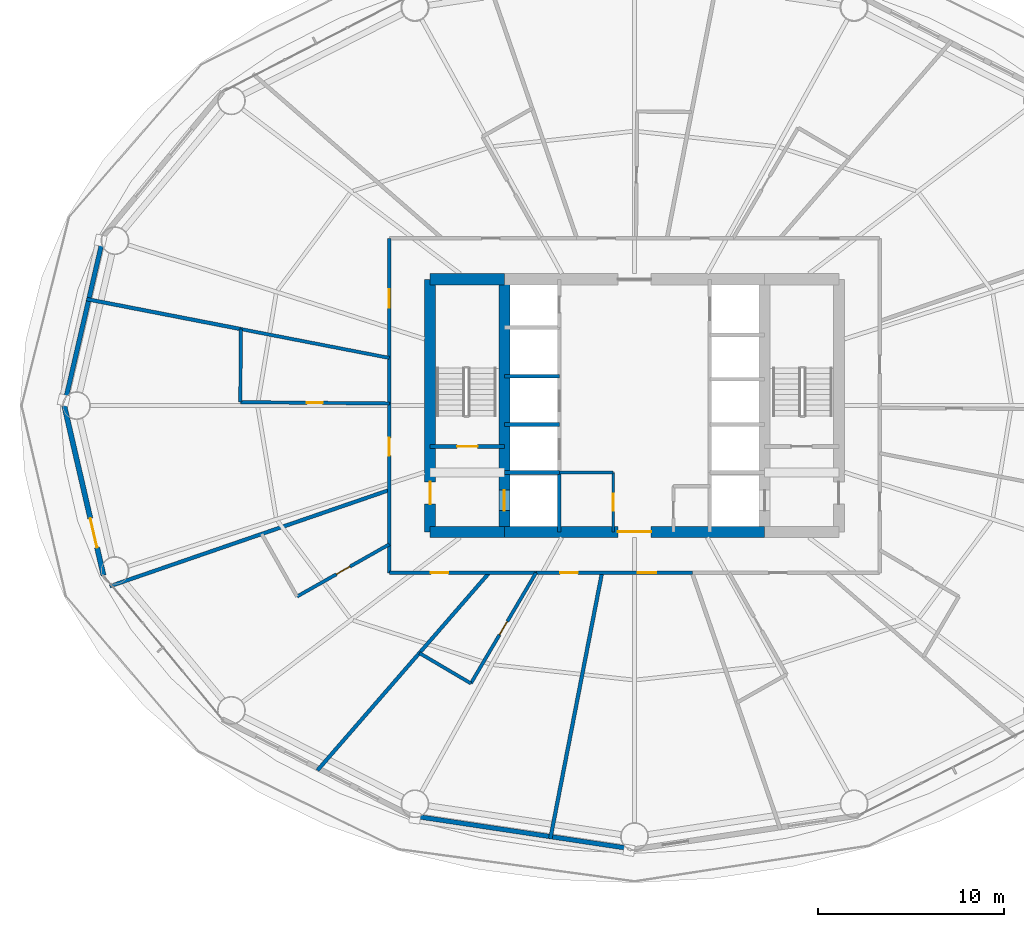
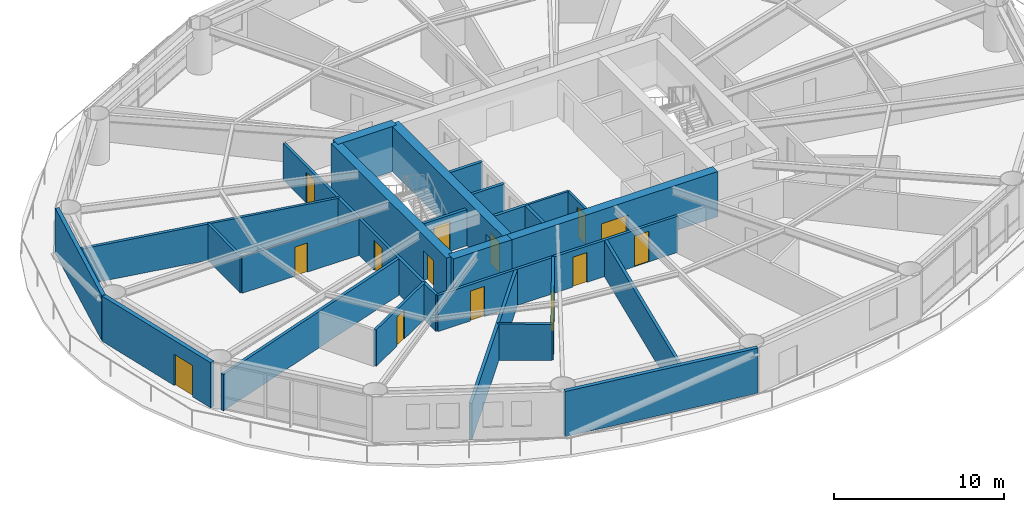
# One storey, part 21 of 27: 29 walls, 14 doors, 14 openings.
"""IFC4 building model written with IfcOpenShell, lengths in metres."""

from ifc_helpers import new_model, si_unit, direction, frame, frame_2d, origin, place, context, subcontext, project, spatial, rectangle, extrude, material, layer, layer_set, type_object, element, fill, save


model = new_model("IFC4")

# Units and contexts
model_context = context("Model", 3, precision=1e-05, world=origin(), true_north=direction((0.0, 1.0)))
body_context = subcontext(model_context, "Body", "Model", "MODEL_VIEW")
ifc_project = project(units=[si_unit("LENGTHUNIT", "METRE"), si_unit("AREAUNIT", "SQUARE_METRE"), si_unit("VOLUMEUNIT", "CUBIC_METRE"), si_unit("PLANEANGLEUNIT", "RADIAN"), si_unit("MASSUNIT", "GRAM", prefix="KILO")], contexts=[model_context])

# Site, building, storey
site_placement = place(None, origin())
site = spatial("IfcSite", under=ifc_project, at=site_placement, CompositionType="ELEMENT")
building_placement = place(site_placement, origin())
building = spatial("IfcBuilding", under=site, at=building_placement, Name="Sarneth Arch Tower", CompositionType="ELEMENT")
storey_placement = place(building_placement, frame((0.0, 0.0, 75.0)))
storey = spatial("IfcBuildingStorey", under=building, at=storey_placement, Name="L18", CompositionType="ELEMENT", Elevation=75.0)

# Wall
ifc_material_1 = material(Name="Concrete C60/75", Category="concrete")
ifc_layer_1 = layer(ifc_material_1, 0.60009765625)
ifc_layer_set_1 = layer_set([ifc_layer_1], Name="Concrete C60/75")
wall_type_1 = type_object("IfcWallType", Name="WALL-CORE-600", PredefinedType="SHEAR", material=ifc_layer_set_1)
wall_1_placement = place(storey_placement, frame((37.0, 35.199951171875, 0.0), z_axis=(0.0, 0.0, 1.0), x_axis=(1.0, 0.0, 0.0)))
element("IfcWall", 1, at=wall_1_placement, inside=storey, type_object=wall_type_1, Name="L18 Core shear wall S-W", PredefinedType="SHEAR", context=body_context, shape_type="SweptSolid", body=[
    extrude(rectangle(XDim=4.0, YDim=0.60009765625, at=frame_2d((2.0, 0.0))), origin(), (0.0, 0.0, 1.0), 3.25),
])

# Wall, opening, door
wall_2_placement = place(storey_placement, frame((41.0, 35.199951171875, 0.0), z_axis=(0.0, 0.0, 1.0), x_axis=(1.0, 0.0, 0.0)))
wall_2 = element("IfcWall", 2, at=wall_2_placement, inside=storey, type_object=wall_type_1, Name="L18 Core shear wall S-M", PredefinedType="SHEAR", context=body_context, shape_type="SweptSolid", body=[
    extrude(rectangle(XDim=14.0, YDim=0.60009765625, at=frame_2d((7.0, 0.0))), origin(), (0.0, 0.0, 1.0), 3.25),
])
opening_1_placement = place(wall_2_placement, frame((6.10009765625, 0.0, 0.0)))
opening_1 = element("IfcOpeningElement", 3, at=opening_1_placement, cuts=wall_2, Name="Opening FD-01", PredefinedType="OPENING", context=body_context, shape_type="SweptSolid", body=[
    extrude(rectangle(XDim=1.800048828125, YDim=2.25, at=frame_2d((0.89990234375, 1.125))), frame((0.0, 0.31005859375, 0.0), z_axis=(0.0, -1.0, 0.0), x_axis=(1.0, 0.0, 0.0)), (0.0, 0.0, 1.0), 0.6201171875),
])
ifc_material_2 = material(Name="Galvanised Steel S275 fire door set", Category="steel")
door_type_1 = type_object("IfcDoorType", Name="DR-FD90-1800", OperationType="DOUBLE_DOOR_SINGLE_SWING", PredefinedType="DOOR", material=ifc_material_2)
door_1_placement = place(opening_1_placement, origin())
door_1 = element("IfcDoor", 4, at=door_1_placement, inside=storey, type_object=door_type_1, Name="L18 Central lift lobby south door", OperationType="DOUBLE_DOOR_SINGLE_SWING", OverallHeight=2.25, OverallWidth=1.800048828125, PredefinedType="DOOR", context=body_context, shape_type="SweptSolid", body=[
    extrude(rectangle(XDim=1.800048828125, YDim=2.25, at=frame_2d((0.89990234375, 1.125))), frame((0.0, 0.02490234375, 0.0), z_axis=(0.0, -1.0, 0.0), x_axis=(1.0, 0.0, 0.0)), (0.0, 0.0, 1.0), 0.050048828125),
])
fill(opening_1, door_1)

# Wall
wall_3_placement = place(storey_placement, frame((37.0, 48.800048828125, 0.0), z_axis=(0.0, 0.0, 1.0), x_axis=(1.0, 0.0, 0.0)))
element("IfcWall", 5, at=wall_3_placement, inside=storey, type_object=wall_type_1, Name="L18 Core shear wall N-W", PredefinedType="SHEAR", context=body_context, shape_type="SweptSolid", body=[
    extrude(rectangle(XDim=4.0, YDim=0.60009765625, at=frame_2d((2.0, 0.0))), origin(), (0.0, 0.0, 1.0), 3.25),
])

# Wall, opening, door
wall_4_placement = place(storey_placement, frame((37.0, 35.199951171875, 0.0), z_axis=(0.0, 0.0, 1.0), x_axis=(0.0, 1.0, 0.0)))
wall_4 = element("IfcWall", 6, at=wall_4_placement, inside=storey, type_object=wall_type_1, Name="L18 Core shear wall W", PredefinedType="SHEAR", context=body_context, shape_type="SweptSolid", body=[
    extrude(rectangle(XDim=13.60009765625, YDim=0.60009765625, at=frame_2d((6.800048828125, 0.0))), origin(), (0.0, 0.0, 1.0), 3.25),
])
opening_2_placement = place(wall_4_placement, frame((1.5, 0.0, 0.0)))
opening_2 = element("IfcOpeningElement", 7, at=opening_2_placement, cuts=wall_4, Name="Opening FD-02", PredefinedType="OPENING", context=body_context, shape_type="SweptSolid", body=[
    extrude(rectangle(XDim=1.199951171875, YDim=2.14990234375, at=frame_2d((0.60009765625, 1.074951171875))), frame((0.0, 0.31005859375, 0.0), z_axis=(0.0, -1.0, 0.0), x_axis=(1.0, 0.0, 0.0)), (0.0, 0.0, 1.0), 0.6201171875),
])
ifc_material_3 = material(Name="Galvanised Steel S275 fire door set", Category="steel")
door_type_2 = type_object("IfcDoorType", Name="DR-FD90-1200", OperationType="SINGLE_SWING_LEFT", PredefinedType="DOOR", material=ifc_material_3)
door_2_placement = place(opening_2_placement, origin())
door_2 = element("IfcDoor", 8, at=door_2_placement, inside=storey, type_object=door_type_2, Name="L18 Firefighting lobby 1 exit door", OperationType="SINGLE_SWING_LEFT", OverallHeight=2.14990234375, OverallWidth=1.199951171875, PredefinedType="DOOR", context=body_context, shape_type="SweptSolid", body=[
    extrude(rectangle(XDim=1.199951171875, YDim=2.14990234375, at=frame_2d((0.60009765625, 1.074951171875))), frame((0.0, 0.02490234375, 0.0), z_axis=(0.0, -1.0, 0.0), x_axis=(1.0, 0.0, 0.0)), (0.0, 0.0, 1.0), 0.050048828125),
])
fill(opening_2, door_2)

wall_5_placement = place(storey_placement, frame((41.0, 35.199951171875, 0.0), z_axis=(0.0, 0.0, 1.0), x_axis=(0.0, 1.0, 0.0)))
wall_5 = element("IfcWall", 9, at=wall_5_placement, inside=storey, type_object=wall_type_1, Name="L18 Core shear wall WEB-W", PredefinedType="SHEAR", context=body_context, shape_type="SweptSolid", body=[
    extrude(rectangle(XDim=13.60009765625, YDim=0.60009765625, at=frame_2d((6.800048828125, 0.0))), origin(), (0.0, 0.0, 1.0), 3.25),
])
opening_3_placement = place(wall_5_placement, frame((1.14990234375, 0.0, 0.0)))
opening_3 = element("IfcOpeningElement", 10, at=opening_3_placement, cuts=wall_5, Name="Opening LD-1", PredefinedType="OPENING", context=body_context, shape_type="SweptSolid", body=[
    extrude(rectangle(XDim=1.10009765625, YDim=2.199951171875, at=frame_2d((0.550048828125, 1.10009765625))), frame((0.0, 0.31005859375, 0.0), z_axis=(0.0, -1.0, 0.0), x_axis=(1.0, 0.0, 0.0)), (0.0, 0.0, 1.0), 0.6201171875),
])
ifc_material_4 = material(Name="Brushed Stainless Steel 304 lift landing door", Category="steel")
door_type_3 = type_object("IfcDoorType", Name="DR-LIFT-SLIDE-1100", OperationType="SLIDING_TO_LEFT", PredefinedType="DOOR", material=ifc_material_4)
door_3_placement = place(opening_3_placement, origin())
door_3 = element("IfcDoor", 11, at=door_3_placement, inside=storey, type_object=door_type_3, Name="L18 Firefighting lift landing door FL-1", OperationType="SLIDING_TO_LEFT", OverallHeight=2.199951171875, OverallWidth=1.10009765625, PredefinedType="DOOR", context=body_context, shape_type="SweptSolid", body=[
    extrude(rectangle(XDim=1.10009765625, YDim=2.199951171875, at=frame_2d((0.550048828125, 1.10009765625))), frame((0.0, 0.02490234375, 0.0), z_axis=(0.0, -1.0, 0.0), x_axis=(1.0, 0.0, 0.0)), (0.0, 0.0, 1.0), 0.050048828125),
])
fill(opening_3, door_3)

ifc_material_5 = material(Name="Double steel-stud corridor fire wall", Category="steel")
ifc_layer_2 = layer(ifc_material_5, 0.18994140625)
ifc_layer_set_2 = layer_set([ifc_layer_2], Name="Double steel-stud corridor fire wall")
wall_type_2 = type_object("IfcWallType", Name="WALL-CORR-190", PredefinedType="PARTITIONING", material=ifc_layer_set_2)
wall_6_placement = place(storey_placement, frame((34.800048828125, 42.083251953125, 0.0), z_axis=(0.0, 0.0, 1.0), x_axis=(0.0, 1.0, 0.0)))
wall_6 = element("IfcWall", 12, at=wall_6_placement, inside=storey, type_object=wall_type_2, Name="L18 Interior partition W-L18-TP-009", PredefinedType="PARTITIONING", context=body_context, shape_type="SweptSolid", body=[
    extrude(rectangle(XDim=8.916748046875, YDim=0.18994140625, at=frame_2d((4.45849609375, 0.0))), origin(), (0.0, 0.0, 1.0), 2.610107421875),
])
opening_4_placement = place(wall_6_placement, frame((5.183349609375, 0.0, 0.0)))
opening_4 = element("IfcOpeningElement", 13, at=opening_4_placement, cuts=wall_6, Name="Opening FD-08", PredefinedType="OPENING", context=body_context, shape_type="SweptSolid", body=[
    extrude(rectangle(XDim=1.0, YDim=2.199951171875, at=frame_2d((0.5, 1.10009765625))), frame((0.0, 0.10498046875, 0.0), z_axis=(0.0, -1.0, 0.0), x_axis=(1.0, 0.0, 0.0)), (0.0, 0.0, 1.0), 0.2099609375),
])
ifc_material_6 = material(Name="Hardwood timber acoustic fire door", Category="wood")
door_type_4 = type_object("IfcDoorType", Name="DR-FD60-1000", OperationType="SINGLE_SWING_LEFT", PredefinedType="DOOR", material=ifc_material_6)
door_4_placement = place(opening_4_placement, origin())
door_4 = element("IfcDoor", 14, at=door_4_placement, inside=storey, type_object=door_type_4, Name="L18 Interior door DR-L18-AMN-05", OperationType="SINGLE_SWING_LEFT", OverallHeight=2.199951171875, OverallWidth=1.0, PredefinedType="DOOR", context=body_context, shape_type="SweptSolid", body=[
    extrude(rectangle(XDim=1.0, YDim=2.199951171875, at=frame_2d((0.5, 1.10009765625))), frame((0.0, 0.02490234375, 0.0), z_axis=(0.0, -1.0, 0.0), x_axis=(1.0, 0.0, 0.0)), (0.0, 0.0, 1.0), 0.050048828125),
])
fill(opening_4, door_4)

wall_7_placement = place(storey_placement, frame((42.735595703125, 33.0, 0.0), z_axis=(0.0, 0.0, 1.0), x_axis=(-1.0, 0.0, 0.0)))
wall_7 = element("IfcWall", 15, at=wall_7_placement, inside=storey, type_object=wall_type_2, Name="L18 Interior partition W-L18-TP-013", PredefinedType="PARTITIONING", context=body_context, shape_type="SweptSolid", body=[
    extrude(rectangle(XDim=7.935546875, YDim=0.18994140625, at=frame_2d((3.9677734375, 0.0))), origin(), (0.0, 0.0, 1.0), 2.610107421875),
])
opening_5_placement = place(wall_7_placement, frame((4.751220703125, 0.0, 0.0)))
opening_5 = element("IfcOpeningElement", 16, at=opening_5_placement, cuts=wall_7, Name="Opening FD-09", PredefinedType="OPENING", context=body_context, shape_type="SweptSolid", body=[
    extrude(rectangle(XDim=0.949951171875, YDim=2.14990234375, at=frame_2d((0.47509765625, 1.074951171875))), frame((0.0, 0.10498046875, 0.0), z_axis=(0.0, -1.0, 0.0), x_axis=(1.0, 0.0, 0.0)), (0.0, 0.0, 1.0), 0.2099609375),
])
ifc_material_7 = material(Name="Hardwood timber hotel entrance fire door", Category="wood")
door_type_5 = type_object("IfcDoorType", Name="DR-FD60-950", OperationType="SINGLE_SWING_RIGHT", PredefinedType="DOOR", material=ifc_material_7)
door_5_placement = place(opening_5_placement, origin())
door_5 = element("IfcDoor", 17, at=door_5_placement, inside=storey, type_object=door_type_5, Name="L18 Interior door DR-L18-KEY-07", OperationType="SINGLE_SWING_LEFT", OverallHeight=2.14990234375, OverallWidth=0.949951171875, PredefinedType="DOOR", context=body_context, shape_type="SweptSolid", body=[
    extrude(rectangle(XDim=0.949951171875, YDim=2.14990234375, at=frame_2d((0.47509765625, 1.074951171875))), frame((0.0, 0.02490234375, 0.0), z_axis=(0.0, -1.0, 0.0), x_axis=(1.0, 0.0, 0.0)), (0.0, 0.0, 1.0), 0.050048828125),
])
fill(opening_5, door_5)

# Wall, openings, doors
wall_8_placement = place(storey_placement, frame((51.1328125, 33.0, 0.0), z_axis=(0.0, 0.0, 1.0), x_axis=(-1.0, 0.0, 0.0)))
wall_8 = element("IfcWall", 18, at=wall_8_placement, inside=storey, type_object=wall_type_2, Name="L18 Interior partition W-L18-TP-018", PredefinedType="PARTITIONING", context=body_context, shape_type="SweptSolid", body=[
    extrude(rectangle(XDim=8.47119140625, YDim=0.18994140625, at=frame_2d((4.235595703125, 0.0))), origin(), (0.0, 0.0, 1.0), 2.610107421875),
])
opening_6_placement = place(wall_8_placement, frame((1.957275390625, 0.0, 0.0)))
opening_6 = element("IfcOpeningElement", 19, at=opening_6_placement, cuts=wall_8, Name="Opening FD-08", PredefinedType="OPENING", context=body_context, shape_type="SweptSolid", body=[
    extrude(rectangle(XDim=1.0, YDim=2.199951171875, at=frame_2d((0.5, 1.10009765625))), frame((0.0, 0.10498046875, 0.0), z_axis=(0.0, -1.0, 0.0), x_axis=(1.0, 0.0, 0.0)), (0.0, 0.0, 1.0), 0.2099609375),
])
opening_7_placement = place(wall_8_placement, frame((6.185302734375, 0.0, 0.0)))
opening_7 = element("IfcOpeningElement", 20, at=opening_7_placement, cuts=wall_8, Name="Opening FD-09", PredefinedType="OPENING", context=body_context, shape_type="SweptSolid", body=[
    extrude(rectangle(XDim=0.949951171875, YDim=2.14990234375, at=frame_2d((0.47509765625, 1.074951171875))), frame((0.0, 0.10498046875, 0.0), z_axis=(0.0, -1.0, 0.0), x_axis=(1.0, 0.0, 0.0)), (0.0, 0.0, 1.0), 0.2099609375),
])
door_6_placement = place(opening_6_placement, origin())
door_6 = element("IfcDoor", 21, at=door_6_placement, inside=storey, type_object=door_type_4, Name="L18 Interior door DR-L18-AMN-09", OperationType="SINGLE_SWING_RIGHT", OverallHeight=2.199951171875, OverallWidth=1.0, PredefinedType="DOOR", context=body_context, shape_type="SweptSolid", body=[
    extrude(rectangle(XDim=1.0, YDim=2.199951171875, at=frame_2d((0.5, 1.10009765625))), frame((0.0, 0.02490234375, 0.0), z_axis=(0.0, -1.0, 0.0), x_axis=(1.0, 0.0, 0.0)), (0.0, 0.0, 1.0), 0.050048828125),
])
fill(opening_6, door_6)
door_7_placement = place(opening_7_placement, origin())
door_7 = element("IfcDoor", 22, at=door_7_placement, inside=storey, type_object=door_type_5, Name="L18 Interior door DR-L18-KEY-08", OperationType="SINGLE_SWING_RIGHT", OverallHeight=2.14990234375, OverallWidth=0.949951171875, PredefinedType="DOOR", context=body_context, shape_type="SweptSolid", body=[
    extrude(rectangle(XDim=0.949951171875, YDim=2.14990234375, at=frame_2d((0.47509765625, 1.074951171875))), frame((0.0, 0.02490234375, 0.0), z_axis=(0.0, -1.0, 0.0), x_axis=(1.0, 0.0, 0.0)), (0.0, 0.0, 1.0), 0.050048828125),
])
fill(opening_7, door_7)

# Wall, opening, door
wall_9_placement = place(storey_placement, frame((34.800048828125, 33.0, 0.0), z_axis=(0.0, 0.0, 1.0), x_axis=(0.0, 1.0, 0.0)))
wall_9 = element("IfcWall", 23, at=wall_9_placement, inside=storey, type_object=wall_type_2, Name="L18 Interior partition W-L18-TP-011", PredefinedType="PARTITIONING", context=body_context, shape_type="SweptSolid", body=[
    extrude(rectangle(XDim=9.147216796875, YDim=0.18994140625, at=frame_2d((4.57373046875, 0.0))), origin(), (0.0, 0.0, 1.0), 2.610107421875),
])
opening_8_placement = place(wall_9_placement, frame((6.30908203125, 0.0, 0.0)))
opening_8 = element("IfcOpeningElement", 24, at=opening_8_placement, cuts=wall_9, Name="Opening FD-09", PredefinedType="OPENING", context=body_context, shape_type="SweptSolid", body=[
    extrude(rectangle(XDim=0.949951171875, YDim=2.14990234375, at=frame_2d((0.47509765625, 1.074951171875))), frame((0.0, 0.10498046875, 0.0), z_axis=(0.0, -1.0, 0.0), x_axis=(1.0, 0.0, 0.0)), (0.0, 0.0, 1.0), 0.2099609375),
])
door_8_placement = place(opening_8_placement, origin())
door_8 = element("IfcDoor", 25, at=door_8_placement, inside=storey, type_object=door_type_5, Name="L18 Interior door DR-L18-KEY-06", OperationType="SINGLE_SWING_LEFT", OverallHeight=2.14990234375, OverallWidth=0.949951171875, PredefinedType="DOOR", context=body_context, shape_type="SweptSolid", body=[
    extrude(rectangle(XDim=0.949951171875, YDim=2.14990234375, at=frame_2d((0.47509765625, 1.074951171875))), frame((0.0, 0.02490234375, 0.0), z_axis=(0.0, -1.0, 0.0), x_axis=(1.0, 0.0, 0.0)), (0.0, 0.0, 1.0), 0.050048828125),
])
fill(opening_8, door_8)

# Walls
ifc_material_8 = material(Name="Extruded terracotta rainscreen on Concrete C40/50 backing", Category="masonry")
ifc_layer_3 = layer(ifc_material_8, 0.25)
ifc_layer_set_3 = layer_set([ifc_layer_3], Name="Extruded terracotta rainscreen on Concrete C40/50 backing")
wall_type_3 = type_object("IfcWallType", Name="WALL-EXT-SPAND-250", PredefinedType="SOLIDWALL", material=ifc_layer_set_3)
wall_10_placement = place(storey_placement, frame((19.4189453125, 51.138427734375, 0.0), z_axis=(0.0, 0.0, 1.0), x_axis=(-0.225454452941, -0.974253709076, 0.0)))
element("IfcWall", 26, at=wall_10_placement, inside=storey, type_object=wall_type_3, Name="L18 Terracotta perimeter wall 08", PredefinedType="SOLIDWALL", context=body_context, shape_type="SweptSolid", body=[
    extrude(rectangle(XDim=9.3798828125, YDim=0.25, at=frame_2d((4.68994140625, 0.0))), origin(), (0.0, 0.0, 1.0), 3.25),
])
wall_11_placement = place(storey_placement, frame((35.922119140625, 19.937744140625, 0.0), z_axis=(0.0, 0.0, 1.0), x_axis=(0.988864835849, -0.148816452121, 0.0)))
element("IfcWall", 27, at=wall_11_placement, inside=storey, type_object=wall_type_3, Name="L18 Terracotta perimeter wall 12", PredefinedType="SOLIDWALL", context=body_context, shape_type="SweptSolid", body=[
    extrude(rectangle(XDim=12.2138671875, YDim=0.25, at=frame_2d((6.10693359375, 0.0))), origin(), (0.0, 0.0, 1.0), 3.25),
])

# Wall, opening, door
ifc_material_9 = material(Name="Extruded terracotta rainscreen on Concrete C40/50 backing", Category="masonry")
ifc_layer_4 = layer(ifc_material_9, 0.280029296875)
ifc_layer_set_4 = layer_set([ifc_layer_4], Name="Extruded terracotta rainscreen on Concrete C40/50 backing")
wall_type_4 = type_object("IfcWallType", Name="WALL-EXT-TERRA-280", PredefinedType="SOLIDWALL", material=ifc_layer_set_4)
wall_12_placement = place(storey_placement, frame((17.30419921875, 42.0, 0.0), z_axis=(0.0, 0.0, 1.0), x_axis=(0.225454452941, -0.974253709076, 0.0)))
wall_12 = element("IfcWall", 28, at=wall_12_placement, inside=storey, type_object=wall_type_4, Name="L18 Terracotta perimeter wall 09", PredefinedType="SOLIDWALL", context=body_context, shape_type="SweptSolid", body=[
    extrude(rectangle(XDim=9.3798828125, YDim=0.280029296875, at=frame_2d((4.68994140625, 0.0))), origin(), (0.0, 0.0, 1.0), 3.25),
])
opening_9_placement = place(wall_12_placement, frame((6.235107421875, 0.0, 0.0)))
opening_9 = element("IfcOpeningElement", 29, at=opening_9_placement, cuts=wall_12, Name="Opening BD-1", PredefinedType="OPENING", context=body_context, shape_type="SweptSolid", body=[
    extrude(rectangle(XDim=1.60009765625, YDim=2.25, at=frame_2d((0.800048828125, 1.125))), frame((0.0, 0.14990234375, 0.0), z_axis=(0.0, -1.0, 0.0), x_axis=(1.0, 0.0, 0.0)), (0.0, 0.0, 1.0), 0.300048828125),
])
ifc_material_10 = material(Name="Thermally broken Aluminium 6063-T6 and laminated safety glass", Category="aluminium")
door_type_6 = type_object("IfcDoorType", Name="DR-BALC-GLZ-1600", OperationType="DOUBLE_DOOR_SINGLE_SWING", PredefinedType="DOOR", material=ifc_material_10)
door_9_placement = place(opening_9_placement, origin())
door_9 = element("IfcDoor", 30, at=door_9_placement, inside=storey, type_object=door_type_6, Name="L18 Balcony glazed door 09", OperationType="DOUBLE_DOOR_SINGLE_SWING", OverallHeight=2.25, OverallWidth=1.60009765625, PredefinedType="DOOR", context=body_context, shape_type="SweptSolid", body=[
    extrude(rectangle(XDim=1.60009765625, YDim=2.25, at=frame_2d((0.800048828125, 1.125))), frame((0.0, 0.02490234375, 0.0), z_axis=(0.0, -1.0, 0.0), x_axis=(1.0, 0.0, 0.0)), (0.0, 0.0, 1.0), 0.050048828125),
])
fill(opening_9, door_9)

# Wall
ifc_material_11 = material(Name="Acoustic gypsum stud partition", Category="gypsum")
ifc_layer_5 = layer(ifc_material_11, 0.14990234375)
ifc_layer_set_5 = layer_set([ifc_layer_5], Name="Acoustic gypsum stud partition")
wall_type_5 = type_object("IfcWallType", Name="WALL-PART-150", PredefinedType="PARTITIONING", material=ifc_layer_set_5)
wall_13_placement = place(storey_placement, frame((43.949951171875, 38.39990234375, 0.0), z_axis=(0.0, 0.0, 1.0), x_axis=(1.0, 0.0, 0.0)))
element("IfcWall", 31, at=wall_13_placement, inside=storey, type_object=wall_type_5, Name="L18 Interior partition W-L18-CSUP1-N", PredefinedType="PARTITIONING", context=body_context, shape_type="SweptSolid", body=[
    extrude(rectangle(XDim=2.900146484375, YDim=0.14990234375, at=frame_2d((1.4501953125, 0.0))), origin(), (0.0, 0.0, 1.0), 2.610107421875),
])

# Wall, opening, door
wall_14_placement = place(storey_placement, frame((46.85009765625, 35.199951171875, 0.0), z_axis=(0.0, 0.0, 1.0), x_axis=(0.0, 1.0, 0.0)))
wall_14 = element("IfcWall", 32, at=wall_14_placement, inside=storey, type_object=wall_type_5, Name="L18 Interior partition W-L18-CSUP1-E", PredefinedType="PARTITIONING", context=body_context, shape_type="SweptSolid", body=[
    extrude(rectangle(XDim=3.199951171875, YDim=0.14990234375, at=frame_2d((1.60009765625, 0.0))), origin(), (0.0, 0.0, 1.0), 2.610107421875),
])
opening_10_placement = place(wall_14_placement, frame((1.14990234375, 0.0, 0.0)))
opening_10 = element("IfcOpeningElement", 33, at=opening_10_placement, cuts=wall_14, Name="Opening FD-10", PredefinedType="OPENING", context=body_context, shape_type="SweptSolid", body=[
    extrude(rectangle(XDim=0.89990234375, YDim=2.14990234375, at=frame_2d((0.449951171875, 1.074951171875))), frame((0.0, 0.0849609375, 0.0), z_axis=(0.0, -1.0, 0.0), x_axis=(1.0, 0.0, 0.0)), (0.0, 0.0, 1.0), 0.169921875),
])
ifc_material_12 = material(Name="Galvanised Steel S275 riser/service fire door", Category="steel")
door_type_7 = type_object("IfcDoorType", Name="DR-FD60-900", OperationType="SINGLE_SWING_LEFT", PredefinedType="DOOR", material=ifc_material_12)
door_10_placement = place(opening_10_placement, origin())
door_10 = element("IfcDoor", 34, at=door_10_placement, inside=storey, type_object=door_type_7, Name="L18 Interior door DR-L18-CSUP1", OperationType="SINGLE_SWING_LEFT", OverallHeight=2.14990234375, OverallWidth=0.89990234375, PredefinedType="DOOR", context=body_context, shape_type="SweptSolid", body=[
    extrude(rectangle(XDim=0.89990234375, YDim=2.14990234375, at=frame_2d((0.449951171875, 1.074951171875))), frame((0.0, 0.02490234375, 0.0), z_axis=(0.0, -1.0, 0.0), x_axis=(1.0, 0.0, 0.0)), (0.0, 0.0, 1.0), 0.050048828125),
])
fill(opening_10, door_10)

# Wall
ifc_material_13 = material(Name="Moisture-resistant plumbing chase wall", Category="gypsum")
ifc_layer_6 = layer(ifc_material_13, 0.179931640625)
ifc_layer_set_6 = layer_set([ifc_layer_6], Name="Moisture-resistant plumbing chase wall")
wall_type_6 = type_object("IfcWallType", Name="WALL-PLUMB-180", PredefinedType="PLUMBINGWALL", material=ifc_layer_set_6)
wall_15_placement = place(storey_placement, frame((26.814697265625, 46.117919921875, 0.0), z_axis=(0.0, 0.0, 1.0), x_axis=(0.981631630513, -0.190786115787, 0.0)))
element("IfcWall", 35, at=wall_15_placement, inside=storey, type_object=wall_type_6, Name="L18 Interior partition W-L18-TP-041", PredefinedType="PLUMBINGWALL", context=body_context, shape_type="SweptSolid", body=[
    extrude(rectangle(XDim=8.134765625, YDim=0.179931640625, at=frame_2d((4.0673828125, 0.0))), origin(), (0.0, 0.0, 1.0), 2.610107421875),
])

# Wall, opening, door
wall_16_placement = place(storey_placement, frame((34.800048828125, 42.115234375, 0.0), z_axis=(0.0, 0.0, 1.0), x_axis=(-0.999961832732, 0.008736880358, 0.0)))
wall_16 = element("IfcWall", 36, at=wall_16_placement, inside=storey, type_object=wall_type_6, Name="L18 Interior partition W-L18-TP-042", PredefinedType="PLUMBINGWALL", context=body_context, shape_type="SweptSolid", body=[
    extrude(rectangle(XDim=8.019775390625, YDim=0.179931640625, at=frame_2d((4.009765625, 0.0))), origin(), (0.0, 0.0, 1.0), 2.610107421875),
])
opening_11_placement = place(wall_16_placement, frame((3.5849609375, 0.0, 0.0)))
opening_11 = element("IfcOpeningElement", 37, at=opening_11_placement, cuts=wall_16, Name="Opening ID-02", PredefinedType="OPENING", context=body_context, shape_type="SweptSolid", body=[
    extrude(rectangle(XDim=0.85009765625, YDim=2.10009765625, at=frame_2d((0.425048828125, 1.050048828125))), frame((0.0, 0.099853515625, 0.0), z_axis=(0.0, -1.0, 0.0), x_axis=(1.0, 0.0, 0.0)), (0.0, 0.0, 1.0), 0.199951171875),
])
ifc_material_14 = material(Name="Moisture-resistant bathroom timber door", Category="wood")
door_type_8 = type_object("IfcDoorType", Name="DR-INT-850", OperationType="SINGLE_SWING_RIGHT", PredefinedType="DOOR", material=ifc_material_14)
door_11_placement = place(opening_11_placement, origin())
door_11 = element("IfcDoor", 38, at=door_11_placement, inside=storey, type_object=door_type_8, Name="L18 Interior door DR-L18-ENS-06", OperationType="SINGLE_SWING_RIGHT", OverallHeight=2.10009765625, OverallWidth=0.85009765625, PredefinedType="DOOR", context=body_context, shape_type="SweptSolid", body=[
    extrude(rectangle(XDim=0.85009765625, YDim=2.10009765625, at=frame_2d((0.425048828125, 1.050048828125))), frame((0.0, 0.02490234375, 0.0), z_axis=(0.0, -1.0, 0.0), x_axis=(1.0, 0.0, 0.0)), (0.0, 0.0, 1.0), 0.050048828125),
])
fill(opening_11, door_11)

wall_17_placement = place(storey_placement, frame((39.192626953125, 27.048095703125, 0.0), z_axis=(0.0, 0.0, 1.0), x_axis=(0.507529744585, 0.861634236995, 0.0)))
wall_17 = element("IfcWall", 39, at=wall_17_placement, inside=storey, type_object=wall_type_6, Name="L18 Interior partition W-L18-TP-051", PredefinedType="PLUMBINGWALL", context=body_context, shape_type="SweptSolid", body=[
    extrude(rectangle(XDim=6.90771484375, YDim=0.179931640625, at=frame_2d((3.453857421875, 0.0))), origin(), (0.0, 0.0, 1.0), 2.610107421875),
])
opening_12_placement = place(wall_17_placement, frame((3.02880859375, 0.0, 0.0)))
opening_12 = element("IfcOpeningElement", 40, at=opening_12_placement, cuts=wall_17, Name="Opening ID-02", PredefinedType="OPENING", context=body_context, shape_type="SweptSolid", body=[
    extrude(rectangle(XDim=0.85009765625, YDim=2.10009765625, at=frame_2d((0.425048828125, 1.050048828125))), frame((0.0, 0.099853515625, 0.0), z_axis=(0.0, -1.0, 0.0), x_axis=(1.0, 0.0, 0.0)), (0.0, 0.0, 1.0), 0.199951171875),
])
door_12_placement = place(opening_12_placement, origin())
door_12 = element("IfcDoor", 41, at=door_12_placement, inside=storey, type_object=door_type_8, Name="L18 Interior door DR-L18-ENS-08", OperationType="SINGLE_SWING_RIGHT", OverallHeight=2.10009765625, OverallWidth=0.85009765625, PredefinedType="DOOR", context=body_context, shape_type="SweptSolid", body=[
    extrude(rectangle(XDim=0.85009765625, YDim=2.10009765625, at=frame_2d((0.425048828125, 1.050048828125))), frame((0.0, 0.02490234375, 0.0), z_axis=(0.0, -1.0, 0.0), x_axis=(1.0, 0.0, 0.0)), (0.0, 0.0, 1.0), 0.050048828125),
])
fill(opening_12, door_12)

wall_18_placement = place(storey_placement, frame((29.83740234375, 31.72412109375, 0.0), z_axis=(0.0, 0.0, 1.0), x_axis=(0.870364197206, 0.492408533865, 0.0)))
wall_18 = element("IfcWall", 42, at=wall_18_placement, inside=storey, type_object=wall_type_6, Name="L18 Interior partition W-L18-TP-047", PredefinedType="PLUMBINGWALL", context=body_context, shape_type="SweptSolid", body=[
    extrude(rectangle(XDim=5.701904296875, YDim=0.179931640625, at=frame_2d((2.85107421875, 0.0))), origin(), (0.0, 0.0, 1.0), 2.610107421875),
])
opening_13_placement = place(wall_18_placement, frame((2.42578125, 0.0, 0.0)))
opening_13 = element("IfcOpeningElement", 43, at=opening_13_placement, cuts=wall_18, Name="Opening ID-02", PredefinedType="OPENING", context=body_context, shape_type="SweptSolid", body=[
    extrude(rectangle(XDim=0.85009765625, YDim=2.10009765625, at=frame_2d((0.425048828125, 1.050048828125))), frame((0.0, 0.099853515625, 0.0), z_axis=(0.0, -1.0, 0.0), x_axis=(1.0, 0.0, 0.0)), (0.0, 0.0, 1.0), 0.199951171875),
])
door_13_placement = place(opening_13_placement, origin())
door_13 = element("IfcDoor", 44, at=door_13_placement, inside=storey, type_object=door_type_8, Name="L18 Interior door DR-L18-ENS-07", OperationType="SINGLE_SWING_RIGHT", OverallHeight=2.10009765625, OverallWidth=0.85009765625, PredefinedType="DOOR", context=body_context, shape_type="SweptSolid", body=[
    extrude(rectangle(XDim=0.85009765625, YDim=2.10009765625, at=frame_2d((0.425048828125, 1.050048828125))), frame((0.0, 0.02490234375, 0.0), z_axis=(0.0, -1.0, 0.0), x_axis=(1.0, 0.0, 0.0)), (0.0, 0.0, 1.0), 0.050048828125),
])
fill(opening_13, door_13)

# Walls
wall_19_placement = place(storey_placement, frame((26.780517578125, 42.185302734375, 0.0), z_axis=(0.0, 0.0, 1.0), x_axis=(0.008691005249, 0.999962232501, 0.0)))
element("IfcWall", 45, at=wall_19_placement, inside=storey, type_object=wall_type_6, Name="L18 Interior partition W-L18-TP-043", PredefinedType="PLUMBINGWALL", context=body_context, shape_type="SweptSolid", body=[
    extrude(rectangle(XDim=3.932861328125, YDim=0.179931640625, at=frame_2d((1.96630859375, 0.0))), origin(), (0.0, 0.0, 1.0), 2.610107421875),
])
wall_20_placement = place(storey_placement, frame((36.42138671875, 28.680419921875, 0.0), z_axis=(0.0, 0.0, 1.0), x_axis=(0.861637458593, -0.507524275232, 0.0)))
element("IfcWall", 46, at=wall_20_placement, inside=storey, type_object=wall_type_6, Name="L18 Interior partition W-L18-TP-050", PredefinedType="PLUMBINGWALL", context=body_context, shape_type="SweptSolid", body=[
    extrude(rectangle(XDim=3.21630859375, YDim=0.179931640625, at=frame_2d((1.608154296875, 0.0))), origin(), (0.0, 0.0, 1.0), 2.610107421875),
])

# Wall, opening, door
ifc_material_15 = material(Name="Aerated concrete blockwork C25/30", Category="masonry")
ifc_layer_7 = layer(ifc_material_15, 0.199951171875)
ifc_layer_set_7 = layer_set([ifc_layer_7], Name="Aerated concrete blockwork C25/30")
wall_type_7 = type_object("IfcWallType", Name="WALL-SHAFT-200", PredefinedType="SOLIDWALL", material=ifc_layer_set_7)
wall_21_placement = place(storey_placement, frame((37.0, 39.800048828125, 0.0), z_axis=(0.0, 0.0, 1.0), x_axis=(1.0, 0.0, 0.0)))
wall_21 = element("IfcWall", 47, at=wall_21_placement, inside=storey, type_object=wall_type_7, Name="L18 Interior partition W-L18-ST1-S", PredefinedType="SOLIDWALL", context=body_context, shape_type="SweptSolid", body=[
    extrude(rectangle(XDim=4.0, YDim=0.199951171875, at=frame_2d((2.0, 0.0))), origin(), (0.0, 0.0, 1.0), 2.610107421875),
])
opening_14_placement = place(wall_21_placement, frame((1.449951171875, 0.0, 0.0)))
opening_14 = element("IfcOpeningElement", 48, at=opening_14_placement, cuts=wall_21, Name="Opening FD-03", PredefinedType="OPENING", context=body_context, shape_type="SweptSolid", body=[
    extrude(rectangle(XDim=1.10009765625, YDim=2.14990234375, at=frame_2d((0.550048828125, 1.074951171875))), frame((0.0, 0.10986328125, 0.0), z_axis=(0.0, -1.0, 0.0), x_axis=(1.0, 0.0, 0.0)), (0.0, 0.0, 1.0), 0.219970703125),
])
ifc_material_16 = material(Name="Galvanised Steel S275 fire door set", Category="steel")
door_type_9 = type_object("IfcDoorType", Name="DR-FD90-1100", OperationType="SINGLE_SWING_LEFT", PredefinedType="DOOR", material=ifc_material_16)
door_14_placement = place(opening_14_placement, origin())
door_14 = element("IfcDoor", 49, at=door_14_placement, inside=storey, type_object=door_type_9, Name="L18 Interior door DR-L18-ST1", OperationType="SINGLE_SWING_LEFT", OverallHeight=2.14990234375, OverallWidth=1.10009765625, PredefinedType="DOOR", context=body_context, shape_type="SweptSolid", body=[
    extrude(rectangle(XDim=1.10009765625, YDim=2.14990234375, at=frame_2d((0.550048828125, 1.074951171875))), frame((0.0, 0.02490234375, 0.0), z_axis=(0.0, -1.0, 0.0), x_axis=(1.0, 0.0, 0.0)), (0.0, 0.0, 1.0), 0.050048828125),
])
fill(opening_14, door_14)

# Walls
wall_22_placement = place(storey_placement, frame((43.949951171875, 35.199951171875, 0.0), z_axis=(0.0, 0.0, 1.0), x_axis=(0.0, 1.0, 0.0)))
element("IfcWall", 50, at=wall_22_placement, inside=storey, type_object=wall_type_7, Name="L18 Interior partition W-L18-FL1-E", PredefinedType="SOLIDWALL", context=body_context, shape_type="SweptSolid", body=[
    extrude(rectangle(XDim=3.199951171875, YDim=0.199951171875, at=frame_2d((1.60009765625, 0.0))), origin(), (0.0, 0.0, 1.0), 2.610107421875),
])
for number, where, z_axis, x_axis, name in (
    (51, (41.0, 38.39990234375, 0.0), (0.0, 0.0, 1.0), (1.0, 0.0, 0.0), "L18 Interior partition W-L18-FL1-N"),
    (52, (41.0, 40.97998046875, 0.0), (0.0, 0.0, 1.0), (1.0, 0.0, 0.0), "L18 Interior partition W-L18-WB-DIV-4098"),
    (53, (41.0, 43.580078125, 0.0), (0.0, 0.0, 1.0), (1.0, 0.0, 0.0), "L18 Interior partition W-L18-WB-DIV-4358"),
):
    element("IfcWall", number, at=place(storey_placement, frame(where, z_axis=z_axis, x_axis=x_axis)), inside=storey, type_object=wall_type_7, Name=name, PredefinedType="SOLIDWALL", context=body_context, shape_type="SweptSolid", body=[
        extrude(rectangle(XDim=2.949951171875, YDim=0.199951171875, at=frame_2d((1.47509765625, 0.0))), origin(), (0.0, 0.0, 1.0), 2.610107421875),
    ])
ifc_material_17 = material(Name="Double steel-stud acoustic drywall", Category="steel")
ifc_layer_8 = layer(ifc_material_17, 0.199951171875)
ifc_layer_set_8 = layer_set([ifc_layer_8], Name="Double steel-stud acoustic drywall")
wall_type_8 = type_object("IfcWallType", Name="WALL-UNIT-200", PredefinedType="PARTITIONING", material=ifc_layer_set_8)
wall_23_placement = place(storey_placement, frame((43.46728515625, 18.680908203125, 0.0), z_axis=(0.0, 0.0, 1.0), x_axis=(0.190799326792, 0.981629062781, 0.0)))
element("IfcWall", 54, at=wall_23_placement, inside=storey, type_object=wall_type_8, Name="L18 Interior partition W-L18-TP-052", PredefinedType="PARTITIONING", context=body_context, shape_type="SweptSolid", body=[
    extrude(rectangle(XDim=14.587158203125, YDim=0.199951171875, at=frame_2d((7.29345703125, 0.0))), origin(), (0.0, 0.0, 1.0), 2.610107421875),
])
wall_24_placement = place(storey_placement, frame((34.800048828125, 37.454833984375, 0.0), z_axis=(0.0, 0.0, 1.0), x_axis=(-0.945518845989, -0.325567369186, 0.0)))
element("IfcWall", 55, at=wall_24_placement, inside=storey, type_object=wall_type_8, Name="L18 Interior partition W-L18-TP-044", PredefinedType="PARTITIONING", context=body_context, shape_type="SweptSolid", body=[
    extrude(rectangle(XDim=15.908935546875, YDim=0.199951171875, at=frame_2d((7.95458984375, 0.0))), origin(), (0.0, 0.0, 1.0), 2.610107421875),
])
wall_25_placement = place(storey_placement, frame((18.5078125, 47.732666015625, 0.0), z_axis=(0.0, 0.0, 1.0), x_axis=(0.981626048747, -0.190814832812, 0.0)))
element("IfcWall", 56, at=wall_25_placement, inside=storey, type_object=wall_type_8, Name="L18 Interior partition W-L18-TP-040", PredefinedType="PARTITIONING", context=body_context, shape_type="SweptSolid", body=[
    extrude(rectangle(XDim=8.46240234375, YDim=0.199951171875, at=frame_2d((4.231201171875, 0.0))), origin(), (0.0, 0.0, 1.0), 2.610107421875),
])
wall_26_placement = place(storey_placement, frame((40.176513671875, 33.0, 0.0), z_axis=(0.0, 0.0, 1.0), x_axis=(-0.656066321773, -0.754703240641, 0.0)))
element("IfcWall", 57, at=wall_26_placement, inside=storey, type_object=wall_type_8, Name="L18 Interior partition W-L18-TP-048", PredefinedType="PARTITIONING", context=body_context, shape_type="SweptSolid", body=[
    extrude(rectangle(XDim=14.091064453125, YDim=0.199951171875, at=frame_2d((7.04541015625, 0.0))), origin(), (0.0, 0.0, 1.0), 2.610107421875),
])

save(model, "model.ifc")
